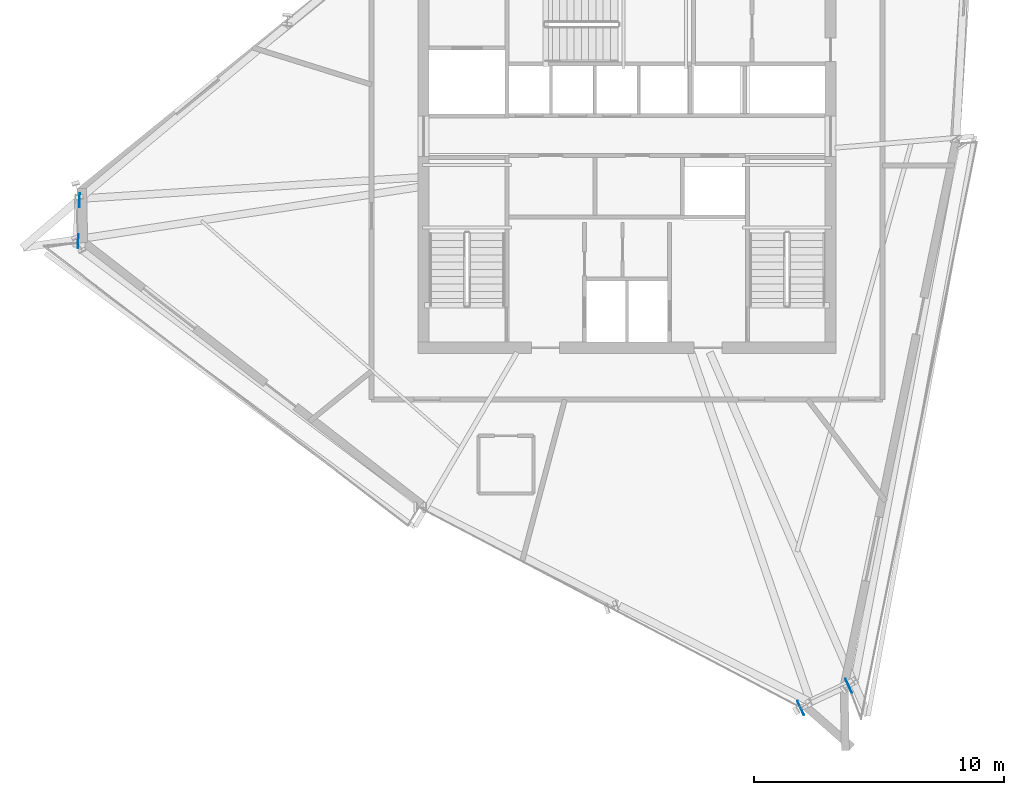
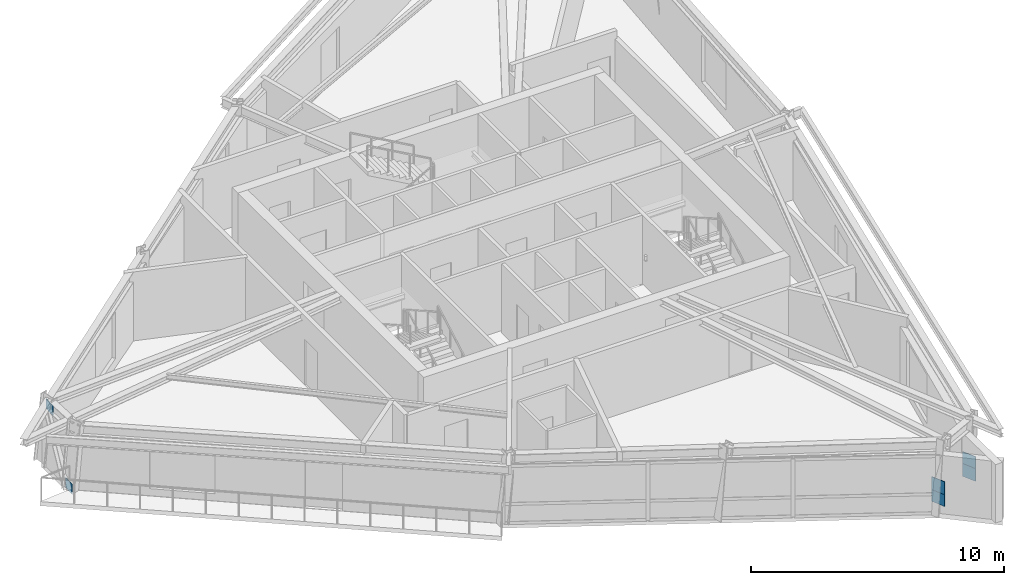
# One storey, part 7 of 14: 6 plates.
"""IFC4 building model written with IfcOpenShell, lengths in metres."""

import ifcopenshell
import ifcopenshell.guid

model = None  # the IFC model being written
_history = None  # IfcOwnerHistory: only IFC2X3 demands one
_inside = {}  # id of a spatial element -> (the spatial element, [elements in it])
_under = {}  # id of a project, library or spatial element -> (it, [spatial elements below it])
_declared = {}  # id of a project -> (the project, [libraries it declares])
_typed = {}  # id of a type object -> (the type object, [elements of that type])
_made_of = {}  # id of a material, layer set ... -> (it, [elements and type objects made of it])


def new_model(schema):
    """Start an empty IFC model of exactly this schema.

    Asked for "IFC4X3", IfcOpenShell would pick the latest addendum, in which some entities
    have other attributes; the version numbers below select the first issue.
    IFC2X3 requires an IfcOwnerHistory on every rooted entity: one is made here for all.
    """
    global model, _history
    if schema == "IFC4X3":
        model = ifcopenshell.file(schema_version=(4, 3, 0, 0))
    else:
        model = ifcopenshell.file(schema=schema)
    _inside.clear()
    _under.clear()
    _declared.clear()
    _typed.clear()
    _made_of.clear()
    _history = None
    if model.schema == "IFC2X3":
        org = make("IfcOrganization", Name="unknown")
        user = make(
            "IfcPersonAndOrganization",
            ThePerson=make("IfcPerson", FamilyName="unknown"),
            TheOrganization=org,
        )
        app = make(
            "IfcApplication",
            ApplicationDeveloper=org,
            Version="unknown",
            ApplicationFullName="unknown",
            ApplicationIdentifier="unknown",
        )
        _history = make(
            "IfcOwnerHistory",
            OwningUser=user,
            OwningApplication=app,
            ChangeAction="ADDED",
            CreationDate=0,
        )
    return model


def make(cls, **values):
    """One entity of the class cls with the attributes given. An attribute that is None is left unset."""
    return model.create_entity(
        cls, **{name: value for name, value in values.items() if value is not None}
    )


def rooted(cls, **values):
    """An entity with a GlobalId (a new one), such as an element, a storey or a relation."""
    return make(cls, GlobalId=ifcopenshell.guid.new(), OwnerHistory=_history, **values)


def si_unit(unit_type, name, prefix=None):
    """IfcSIUnit, for example si_unit("LENGTHUNIT", "METRE", prefix="MILLI")."""
    return make("IfcSIUnit", UnitType=unit_type, Prefix=prefix, Name=name)


def assignment(units):
    """IfcUnitAssignment: the units of a project."""
    return None if units is None else make("IfcUnitAssignment", Units=units)


def point(xyz):
    """IfcCartesianPoint."""
    return None if xyz is None else make("IfcCartesianPoint", Coordinates=xyz)


def direction(xyz):
    """IfcDirection."""
    return None if xyz is None else make("IfcDirection", DirectionRatios=xyz)


def frame(location, z_axis=None, x_axis=None):
    """IfcAxis2Placement3D, a coordinate frame: its origin and axes. An axis left out is left unset."""
    return make(
        "IfcAxis2Placement3D",
        Location=point(location),
        Axis=direction(z_axis),
        RefDirection=direction(x_axis),
    )


def frame_2d(location, x_axis=None):
    """IfcAxis2Placement2D, a coordinate frame in the plane: its origin and x axis."""
    return make(
        "IfcAxis2Placement2D", Location=point(location), RefDirection=direction(x_axis)
    )


def origin():
    """The frame at (0, 0, 0) with its axes left unset."""
    return frame((0.0, 0.0, 0.0))


def origin_2d():
    """The frame at (0, 0) in the plane with its x axis left unset."""
    return frame_2d((0.0, 0.0))


def place(relative_to, where):
    """IfcLocalPlacement: puts the frame where relative to a parent placement (None: the world)."""
    return make(
        "IfcLocalPlacement", PlacementRelTo=relative_to, RelativePlacement=where
    )


def context(
    kind, dimensions, precision=None, world=None, true_north=None, identifier=None
):
    """IfcGeometricRepresentationContext, for example the 3D "Model" context."""
    return make(
        "IfcGeometricRepresentationContext",
        ContextIdentifier=identifier,
        ContextType=kind,
        CoordinateSpaceDimension=dimensions,
        Precision=precision,
        WorldCoordinateSystem=world,
        TrueNorth=true_north,
    )


def subcontext(parent, identifier, kind, view, scale=None):
    """IfcGeometricRepresentationSubContext, for example "Body" below "Model"."""
    return make(
        "IfcGeometricRepresentationSubContext",
        ContextIdentifier=identifier,
        ContextType=kind,
        ParentContext=parent,
        TargetScale=scale,
        TargetView=view,
    )


def project(units=None, contexts=None):
    """IfcProject with its units and contexts."""
    return rooted(
        "IfcProject",
        Name="project",
        RepresentationContexts=contexts,
        UnitsInContext=assignment(units),
    )


def spatial(cls, under=None, at=None, **own):
    """A site, building, storey or space (cls), placed at a placement, below another one or the project."""
    s = rooted(cls, ObjectPlacement=at, **own)
    if under is not None:
        _under.setdefault(under.id(), (under, []))[1].append(s)
    return s


def profile(cls, at=None, kind="AREA", **sizes):
    """A parametric profile (cls). Its sizes go by their IFC names, for example OverallWidth=200.0."""
    return make(cls, ProfileType=kind, Position=at, **sizes)


def rectangle(**sizes):
    """IfcRectangleProfileDef."""
    return profile("IfcRectangleProfileDef", **sizes)


def extrude(swept, where, along, depth):
    """IfcExtrudedAreaSolid: the profile swept, set in the frame where, extruded along a direction by depth."""
    return make(
        "IfcExtrudedAreaSolid",
        SweptArea=swept,
        Position=where,
        ExtrudedDirection=direction(along),
        Depth=depth,
    )


def shape(context_of_items, identifier, shape_type, items):
    """IfcShapeRepresentation: the items that make up one representation, for example the "Body"."""
    return make(
        "IfcShapeRepresentation",
        ContextOfItems=context_of_items,
        RepresentationIdentifier=identifier,
        RepresentationType=shape_type,
        Items=items,
    )


def source(mapping_origin, context_of_items, identifier, shape_type, items):
    """IfcRepresentationMap: a shape defined once, which mapped items show again and again."""
    return make(
        "IfcRepresentationMap",
        MappingOrigin=mapping_origin,
        MappedRepresentation=shape(context_of_items, identifier, shape_type, items),
    )


def transform(
    local_origin,
    x_axis=None,
    y_axis=None,
    z_axis=None,
    scale=None,
    scale2=None,
    scale3=None,
    uniform=True,
):
    """IfcCartesianTransformationOperator3D, or its non-uniform kind. x_axis, y_axis, z_axis: its Axis1, 2, 3."""
    if uniform:
        return make(
            "IfcCartesianTransformationOperator3D",
            Axis1=direction(x_axis),
            Axis2=direction(y_axis),
            LocalOrigin=point(local_origin),
            Scale=scale,
            Axis3=direction(z_axis),
        )
    return make(
        "IfcCartesianTransformationOperator3DnonUniform",
        Axis1=direction(x_axis),
        Axis2=direction(y_axis),
        LocalOrigin=point(local_origin),
        Scale=scale,
        Axis3=direction(z_axis),
        Scale2=scale2,
        Scale3=scale3,
    )


def mapped(mapping_source, mapping_target):
    """IfcMappedItem: shows the shape of a source again, moved by a transform."""
    return make(
        "IfcMappedItem", MappingSource=mapping_source, MappingTarget=mapping_target
    )


def material(Name=None, Category=None):
    """IfcMaterial."""
    return make("IfcMaterial", Name=Name, Category=Category)


def made_of(thing, what):
    """Note that an element or type object is made of a material, layer set ...; save() writes the relation."""
    if what is not None:
        _made_of.setdefault(what.id(), (what, []))[1].append(thing)
    return thing


def type_object(cls, material=None, **own):
    """A type object (cls), such as IfcWallType, which elements share."""
    return made_of(rooted(cls, **own), material)


def element(
    cls,
    number,
    at=None,
    inside=None,
    cuts=None,
    type_object=None,
    material=None,
    context=None,
    identifier="Body",
    shape_type=None,
    held_by="IfcProductDefinitionShape",
    body=None,
    shapes=None,
    **own,
):
    """One element of the class cls, such as IfcWall. Its Tag is "e" and its number.

    at: its placement. inside: the storey or other place that contains it. cuts: it is an
    opening in that element (IfcRelVoidsElement). A single representation is given by context,
    identifier, shape_type and body (its items); several are given by shapes. held_by: the class
    of the entity that holds the representations. save() writes the other relations.
    """
    e = rooted(cls, Tag="e%d" % number, ObjectPlacement=at, **own)
    if body is not None:
        shapes = [shape(context, identifier, shape_type, body)]
    if shapes is not None:
        e.Representation = make(held_by, Representations=shapes)
    if inside is not None:
        _inside.setdefault(inside.id(), (inside, []))[1].append(e)
    if cuts is not None:
        rooted(
            "IfcRelVoidsElement", RelatingBuildingElement=cuts, RelatedOpeningElement=e
        )
    if type_object is not None:
        _typed.setdefault(type_object.id(), (type_object, []))[1].append(e)
    return made_of(e, material)


def aggregate(whole, parts):
    """IfcRelAggregates: a whole, such as a stair, and the parts it consists of."""
    return rooted("IfcRelAggregates", RelatingObject=whole, RelatedObjects=parts)


def save(model, path):
    """Write the relations noted so far, then the file.

    IfcRelAggregates (storeys below a building ...), IfcRelContainedInSpatialStructure (elements
    in a storey), IfcRelDefinesByType, IfcRelAssociatesMaterial and IfcRelDeclares: one each for
    every whole, place, type object, material and project.
    """
    for whole, parts in _under.values():
        aggregate(whole, parts)
    for where, things in _inside.values():
        rooted(
            "IfcRelContainedInSpatialStructure",
            RelatedElements=things,
            RelatingStructure=where,
        )
    for kind, things in _typed.values():
        rooted("IfcRelDefinesByType", RelatedObjects=things, RelatingType=kind)
    for what, things in _made_of.values():
        rooted("IfcRelAssociatesMaterial", RelatedObjects=things, RelatingMaterial=what)
    for by, libraries in _declared.values():
        rooted("IfcRelDeclares", RelatingContext=by, RelatedDefinitions=libraries)
    model.write(path)


model = new_model("IFC4")

# Units and contexts
model_context = context("Model", 3, precision=1e-05, world=origin(), true_north=direction((0.0, 1.0)))
body_context = subcontext(model_context, "Body", "Model", "MODEL_VIEW")
ifc_project = project(units=[si_unit("LENGTHUNIT", "METRE"), si_unit("AREAUNIT", "SQUARE_METRE"), si_unit("VOLUMEUNIT", "CUBIC_METRE"), si_unit("PLANEANGLEUNIT", "RADIAN"), si_unit("MASSUNIT", "GRAM", prefix="KILO")], contexts=[model_context])

# Site, building, storey
site_placement = place(None, origin())
site = spatial("IfcSite", under=ifc_project, at=site_placement, CompositionType="ELEMENT")
building_placement = place(site_placement, origin())
building = spatial("IfcBuilding", under=site, at=building_placement, Name="Olszyna Solenne Hotel", CompositionType="ELEMENT")
storey_placement = place(building_placement, frame((0.0, 0.0, 274.10009765625)))
storey = spatial("IfcBuildingStorey", under=building, at=storey_placement, Name="L73", CompositionType="ELEMENT", Elevation=274.10009765625)

# Plates
ifc_material_1 = material(Name="Steel S460M", Category="steel")
plate_type_1 = type_object("IfcPlateType", Name="GP-CAP2", PredefinedType="USERDEFINED", material=ifc_material_1)
shared_shape_1 = source(origin(), body_context, "Body", "SweptSolid", [
    extrude(rectangle(XDim=0.030029296875, YDim=0.6201171875, at=origin_2d()), origin(), (0.0, 0.0, 1.0), 0.6201171875),
])
for number, where, z_axis, x_axis, name in (
    (1, (44.9326171875, 4.89404296875, 1.039794921875), (0.0, 0.0, 1.0), (0.907777478533, 0.419452082446, 0.0), "Hollow section end-cap plate GP-CAP2 CP-PR-M-L73-PR1-1"),
    (2, (46.849365234375, 5.77978515625, 1.039794921875), (0.0, 0.0, 1.0), (0.907777478533, 0.419452082446, 0.0), "Hollow section end-cap plate GP-CAP2 CP-PR-M-L73-PR1-2"),
    (3, (44.9326171875, 4.89404296875, 0.4697265625), (0.0, 0.0, 1.0), (0.907777478533, 0.419452082446, 0.0), "Hollow section end-cap plate GP-CAP2 CP-PR-M-L73-PR2-1"),
    (4, (46.849365234375, 5.77978515625, 0.4697265625), (0.0, 0.0, 1.0), (0.907777478533, 0.419452082446, 0.0), "Hollow section end-cap plate GP-CAP2 CP-PR-M-L73-PR2-2"),
):
    element("IfcPlate", number, at=place(storey_placement, frame(where, z_axis=z_axis, x_axis=x_axis)), inside=storey, type_object=plate_type_1, Name=name, ObjectType="GUSSET_PLATE", PredefinedType="USERDEFINED", context=body_context, shape_type="MappedRepresentation", body=[
        mapped(shared_shape_1, transform((0.0, 0.0, 0.0), x_axis=(1.0, 0.0, 0.0), y_axis=(0.0, 1.0, 0.0), z_axis=(0.0, 0.0, 1.0), scale=1.0)),
    ])
ifc_material_2 = material(Name="Steel S355J2", Category="steel")
plate_type_2 = type_object("IfcPlateType", Name="GP-ND2", PredefinedType="USERDEFINED", material=ifc_material_2)
shared_shape_2 = source(origin(), body_context, "Body", "SweptSolid", [
    extrude(rectangle(XDim=0.56005859375, YDim=0.02001953125, at=origin_2d()), origin(), (0.0, 0.0, 1.0), 0.47998046875),
])
for number, where, z_axis, x_axis, name in (
    (5, (16.0869140625, 23.5341796875, -0.109130859375), (0.0, 0.0, 1.0), (0.034027350502, 0.999420902032, 0.0), "Brace end connection gusset plate GP-ND2 EP-BR-L73-2-1"),
    (6, (16.14208984375, 25.156494140625, 2.683837890625), (0.0, 0.0, 1.0), (0.034027350502, 0.999420902032, 0.0), "Brace end connection gusset plate GP-ND2 EP-BR-L73-2-2"),
):
    element("IfcPlate", number, at=place(storey_placement, frame(where, z_axis=z_axis, x_axis=x_axis)), inside=storey, type_object=plate_type_2, Name=name, ObjectType="GUSSET_PLATE", PredefinedType="USERDEFINED", context=body_context, shape_type="MappedRepresentation", body=[
        mapped(shared_shape_2, transform((0.0, 0.0, 0.0), x_axis=(1.0, 0.0, 0.0), y_axis=(0.0, 1.0, 0.0), z_axis=(0.0, 0.0, 1.0), scale=1.0)),
    ])

save(model, "model.ifc")
